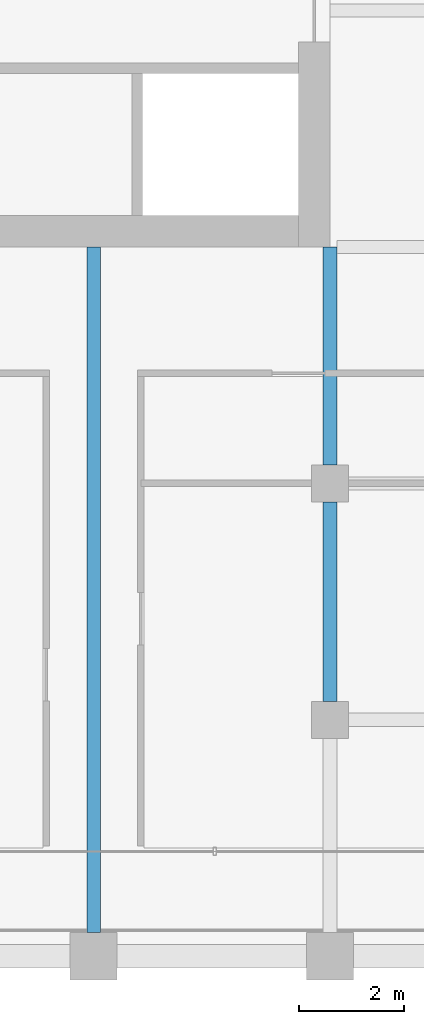
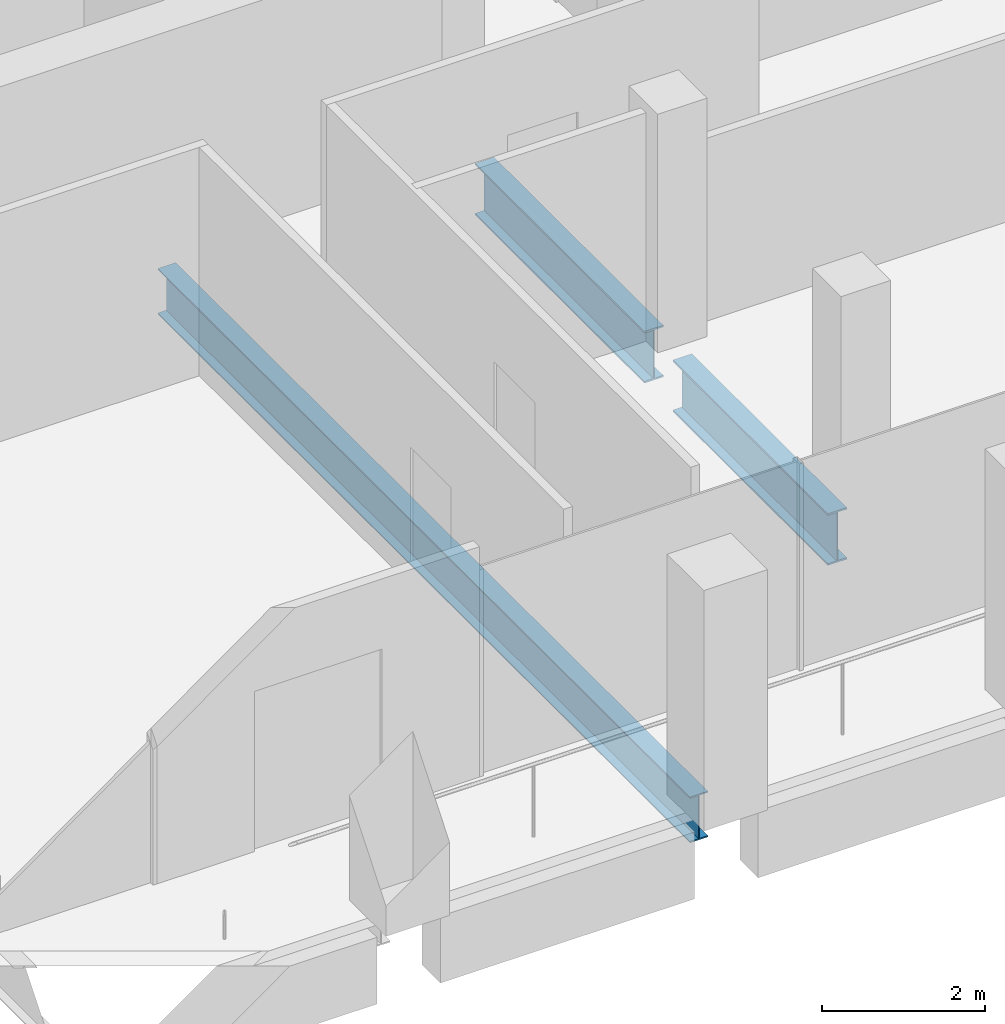
# One storey, part 10 of 40: 3 beams.
"""IFC4 building model written with IfcOpenShell, lengths in metres."""

from ifc_helpers import new_model, si_unit, direction, frame, origin, origin_2d, place, context, subcontext, project, spatial, i_section, extrude, material, material_profile, profile_set, type_object, element, save


model = new_model("IFC4")

# Units and contexts
model_context = context("Model", 3, precision=1e-05, world=origin(), true_north=direction((0.0, 1.0)))
body_context = subcontext(model_context, "Body", "Model", "MODEL_VIEW")
ifc_project = project(units=[si_unit("LENGTHUNIT", "METRE"), si_unit("AREAUNIT", "SQUARE_METRE"), si_unit("VOLUMEUNIT", "CUBIC_METRE"), si_unit("PLANEANGLEUNIT", "RADIAN"), si_unit("MASSUNIT", "GRAM", prefix="KILO")], contexts=[model_context])

# Site, building, storey
site_placement = place(None, origin())
site = spatial("IfcSite", under=ifc_project, at=site_placement, CompositionType="ELEMENT")
building_placement = place(site_placement, origin())
building = spatial("IfcBuilding", under=site, at=building_placement, Name="Altepetl Exchange Towers", CompositionType="ELEMENT")
storey_placement = place(building_placement, frame((0.0, 0.0, 176.199951171875)))
storey = spatial("IfcBuildingStorey", under=building, at=storey_placement, Name="L44", CompositionType="ELEMENT", Elevation=176.199951171875)

# Beams
ifc_material = material(Name="Steel S355", Category="steel")
ifc_material_profile_1 = material_profile(ifc_material, i_section(OverallWidth=0.25390625, OverallDepth=0.68408203125, WebThickness=0.012451171875, FlangeThickness=0.018798828125, at=origin_2d()), Name="W27X94")
ifc_profile_set_1 = profile_set([ifc_material_profile_1], Name="Steel S355")
beam_type_1 = type_object("IfcBeamType", Name="Floor beam W27X94", PredefinedType="BEAM", material=ifc_profile_set_1)
beam_1_placement = place(storey_placement, frame((54.0, 27.449951171875, -0.491943359375), z_axis=(0.0, 1.0, 0.0), x_axis=(-1.0, 0.0, 0.0)))
element("IfcBeam", 1, at=beam_1_placement, inside=storey, type_object=beam_type_1, Name="bm:A:L44:017", PredefinedType="BEAM", context=body_context, shape_type="SweptSolid", body=[
    extrude(i_section(OverallWidth=0.25390625, OverallDepth=0.68408203125, WebThickness=0.012451171875, FlangeThickness=0.018798828125, at=origin_2d()), origin(), (0.0, 0.0, 1.0), 13.050048828125),
])
ifc_material_profile_2 = material_profile(ifc_material, i_section(OverallWidth=0.26806640625, OverallDepth=0.77392578125, WebThickness=0.015380859375, FlangeThickness=0.025390625, at=origin_2d()), Name="W30X132")
ifc_profile_set_2 = profile_set([ifc_material_profile_2], Name="Steel S355")
beam_type_2 = type_object("IfcBeamType", Name="Girder W30X132", PredefinedType="BEAM", material=ifc_profile_set_2)
beam_2_placement = place(storey_placement, frame((58.5, 40.5, -0.536865234375), z_axis=(0.0, -1.0, 0.0), x_axis=(1.0, 0.0, 0.0)))
element("IfcBeam", 2, at=beam_2_placement, inside=storey, type_object=beam_type_2, Name="gd:A:L44:003", PredefinedType="BEAM", context=body_context, shape_type="SweptSolid", body=[
    extrude(i_section(OverallWidth=0.26806640625, OverallDepth=0.77392578125, WebThickness=0.015380859375, FlangeThickness=0.025390625, at=origin_2d()), origin(), (0.0, 0.0, 1.0), 4.14990234375),
])
beam_3_placement = place(storey_placement, frame((58.5, 35.64990234375, -0.536865234375), z_axis=(0.0, -1.0, 0.0), x_axis=(1.0, 0.0, 0.0)))
element("IfcBeam", 3, at=beam_3_placement, inside=storey, type_object=beam_type_2, Name="gd:A:L44:004", PredefinedType="BEAM", context=body_context, shape_type="SweptSolid", body=[
    extrude(i_section(OverallWidth=0.26806640625, OverallDepth=0.77392578125, WebThickness=0.015380859375, FlangeThickness=0.025390625, at=origin_2d()), origin(), (0.0, 0.0, 1.0), 3.7998046875),
])

save(model, "model.ifc")
